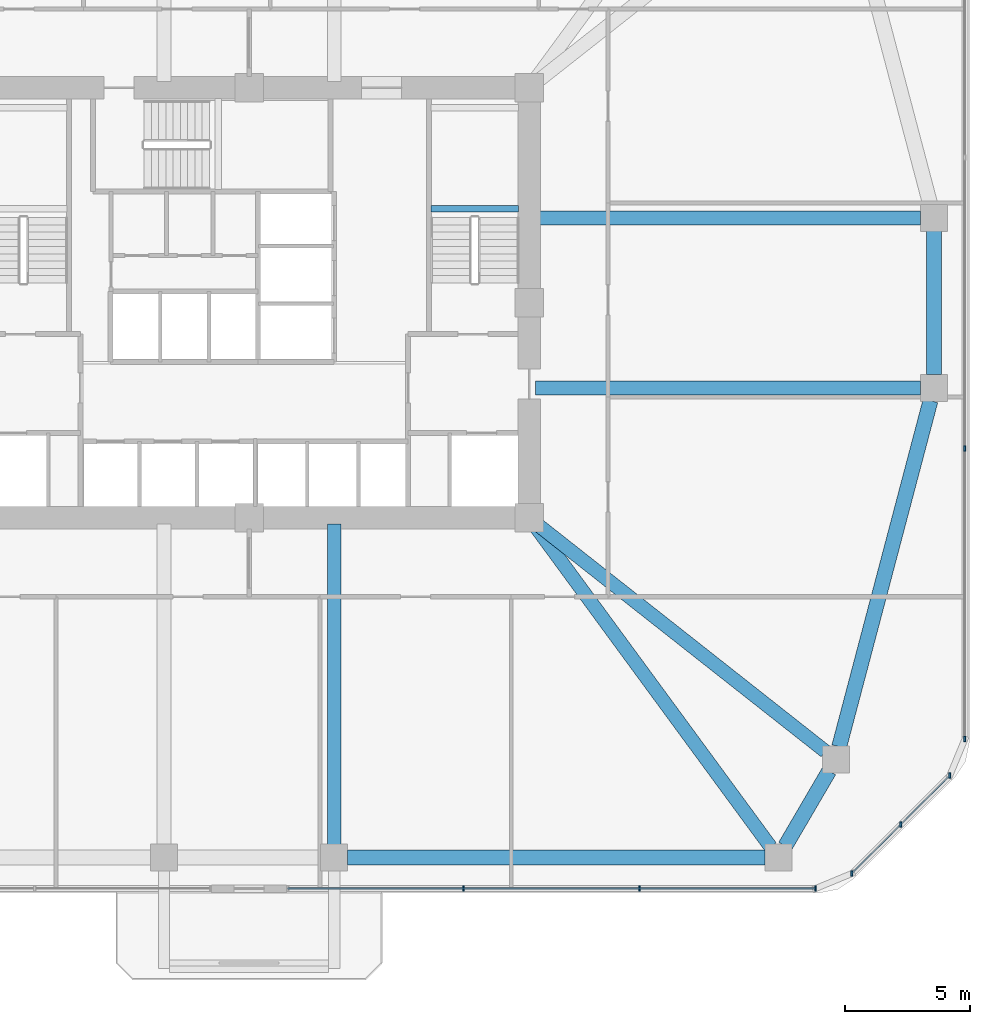
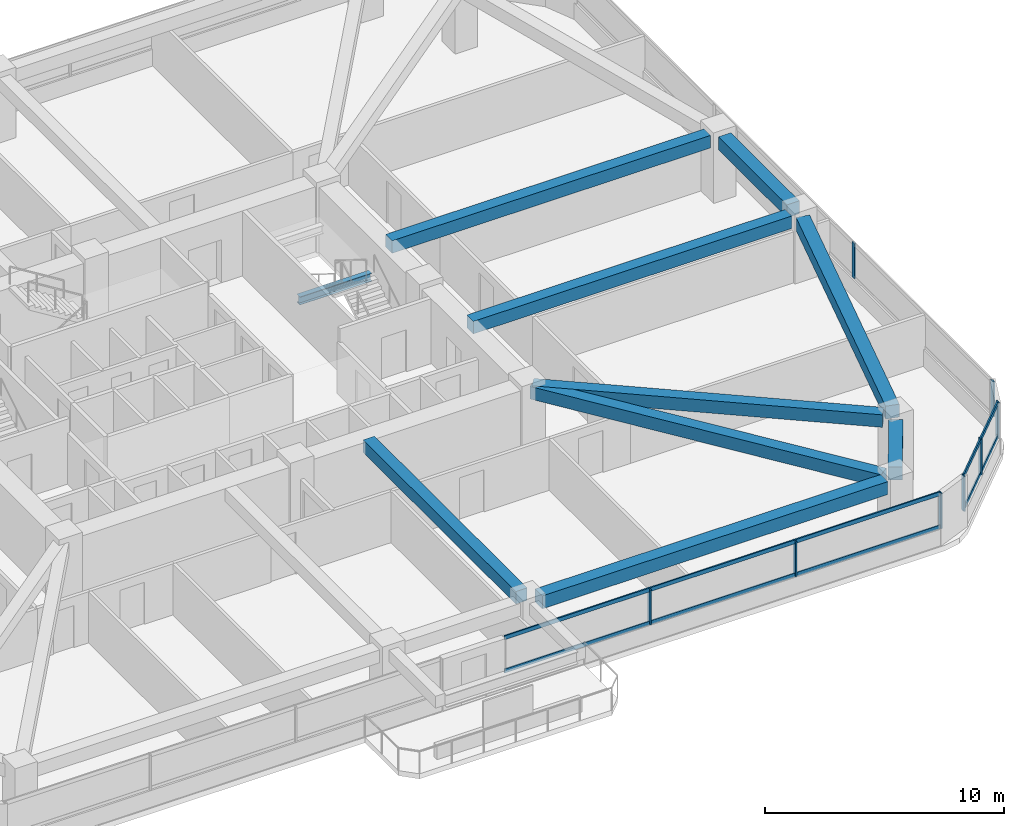
# One storey, part 3 of 13: 12 members, 10 beams, 3 elements without a shape of their own.
"""IFC4 building model written with IfcOpenShell, lengths in metres."""

from ifc_helpers import new_model, si_unit, derived_unit, direction, frame, origin, origin_2d, place, context, subcontext, project, spatial, rectangle, i_section, extrude, material, material_profile, profile_set, type_object, element, aggregate, save


model = new_model("IFC4")

# Units and contexts
model_context = context("Model", 3, precision=1e-05, world=origin(), true_north=direction((0.0, 1.0)))
body_context = subcontext(model_context, "Body", "Model", "MODEL_VIEW")
ifc_project = project(units=[si_unit("LENGTHUNIT", "METRE"), si_unit("AREAUNIT", "SQUARE_METRE"), si_unit("VOLUMEUNIT", "CUBIC_METRE"), si_unit("PLANEANGLEUNIT", "RADIAN"), si_unit("MASSUNIT", "GRAM", prefix="KILO"), derived_unit("THERMALTRANSMITTANCEUNIT", [(si_unit("POWERUNIT", "WATT"), 1), (si_unit("LENGTHUNIT", "METRE"), -2), (si_unit("THERMODYNAMICTEMPERATUREUNIT", "KELVIN"), -1)])], contexts=[model_context])

# Site, building, storey
site_placement = place(None, origin())
site = spatial("IfcSite", under=ifc_project, at=site_placement, CompositionType="ELEMENT")
building_placement = place(site_placement, origin())
building = spatial("IfcBuilding", under=site, at=building_placement, Name="Koralith Skygarden Medical Center", CompositionType="ELEMENT")
storey_placement = place(building_placement, frame((0.0, 0.0, 49.139892578125)))
storey = spatial("IfcBuildingStorey", under=building, at=storey_placement, Name="L12", CompositionType="ELEMENT", Elevation=49.139892578125)

# Curtain wall, members
ifc_material_1 = material(Name="Clear Laminated Glass", Category="glass")
curtain_wall_type = type_object("IfcCurtainWallType", Name="CW-2 Zone 1 Hurricane Unitised Curtain Wall", PredefinedType="NOTDEFINED", material=ifc_material_1)
curtain_wall_1_placement = place(storey_placement, origin())
curtain_wall_1 = element("IfcCurtainWall", 1, at=curtain_wall_1_placement, inside=storey, type_object=curtain_wall_type, Name="Curtain Wall CW-L12-S-R", PredefinedType="NOTDEFINED")
ifc_material_2 = material(Name="Aluminium 6063-T6", Category="aluminium")
ifc_material_profile_1 = material_profile(ifc_material_2, rectangle(XDim=0.071044921875, YDim=0.219970703125, at=origin_2d()), Name="MUL71X220")
ifc_profile_set_1 = profile_set([ifc_material_profile_1], Name="Aluminium 6063-T6")
member_type_1 = type_object("IfcMemberType", Name="CW-2 Extruded Mullion 71x220", PredefinedType="MULLION", material=ifc_profile_set_1)
member_1_placement = place(storey_placement, frame((45.574951171875, 2.47998046875, 0.85009765625), z_axis=(0.0, 0.0, 1.0), x_axis=(1.0, 0.0, 0.0)))
member_1 = element("IfcMember", 2, at=member_1_placement, type_object=member_type_1, Name="CW-L12-S-R Mullion 2", PredefinedType="MULLION", context=body_context, shape_type="SweptSolid", body=[
    extrude(rectangle(XDim=0.071044921875, YDim=0.219970703125, at=origin_2d()), origin(), (0.0, 0.0, 1.0), 1.800048828125),
])
member_2_placement = place(storey_placement, frame((52.610107421875, 2.47998046875, 0.85009765625), z_axis=(0.0, 0.0, 1.0), x_axis=(1.0, 0.0, 0.0)))
member_2 = element("IfcMember", 3, at=member_2_placement, type_object=member_type_1, Name="CW-L12-S-R Mullion 3", PredefinedType="MULLION", context=body_context, shape_type="SweptSolid", body=[
    extrude(rectangle(XDim=0.071044921875, YDim=0.219970703125, at=origin_2d()), origin(), (0.0, 0.0, 1.0), 1.800048828125),
])
member_3_placement = place(storey_placement, frame((59.64501953125, 2.47998046875, 0.85009765625), z_axis=(0.0, 0.0, 1.0), x_axis=(1.0, 0.0, 0.0)))
member_3 = element("IfcMember", 4, at=member_3_placement, type_object=member_type_1, Name="CW-L12-S-R Mullion 4", PredefinedType="MULLION", context=body_context, shape_type="SweptSolid", body=[
    extrude(rectangle(XDim=0.071044921875, YDim=0.219970703125, at=origin_2d()), origin(), (0.0, 0.0, 1.0), 1.800048828125),
])

curtain_wall_2_placement = place(storey_placement, origin())
curtain_wall_2 = element("IfcCurtainWall", 5, at=curtain_wall_2_placement, inside=storey, type_object=curtain_wall_type, Name="Curtain Wall CW-L12-SE", PredefinedType="NOTDEFINED")
member_4_placement = place(storey_placement, frame((61.095947265625, 3.0810546875, 0.85009765625), z_axis=(0.0, 0.0, 1.0), x_axis=(1.0, 0.0, 0.0)))
member_4 = element("IfcMember", 6, at=member_4_placement, type_object=member_type_1, Name="CW-L12-SE Mullion 1", PredefinedType="MULLION", context=body_context, shape_type="SweptSolid", body=[
    extrude(rectangle(XDim=0.071044921875, YDim=0.219970703125, at=origin_2d()), origin(), (0.0, 0.0, 1.0), 1.800048828125),
])
member_5_placement = place(storey_placement, frame((63.056884765625, 5.0419921875, 0.85009765625), z_axis=(0.0, 0.0, 1.0), x_axis=(1.0, 0.0, 0.0)))
member_5 = element("IfcMember", 7, at=member_5_placement, type_object=member_type_1, Name="CW-L12-SE Mullion 2", PredefinedType="MULLION", context=body_context, shape_type="SweptSolid", body=[
    extrude(rectangle(XDim=0.071044921875, YDim=0.219970703125, at=origin_2d()), origin(), (0.0, 0.0, 1.0), 1.800048828125),
])
member_6_placement = place(storey_placement, frame((65.01904296875, 7.00390625, 0.85009765625), z_axis=(0.0, 0.0, 1.0), x_axis=(1.0, 0.0, 0.0)))
member_6 = element("IfcMember", 8, at=member_6_placement, type_object=member_type_1, Name="CW-L12-SE Mullion 3", PredefinedType="MULLION", context=body_context, shape_type="SweptSolid", body=[
    extrude(rectangle(XDim=0.071044921875, YDim=0.219970703125, at=origin_2d()), origin(), (0.0, 0.0, 1.0), 1.800048828125),
])

curtain_wall_3_placement = place(storey_placement, origin())
curtain_wall_3 = element("IfcCurtainWall", 9, at=curtain_wall_3_placement, inside=storey, type_object=curtain_wall_type, Name="Curtain Wall CW-L12-E", PredefinedType="NOTDEFINED")
member_7_placement = place(storey_placement, frame((65.6201171875, 8.455078125, 0.85009765625), z_axis=(0.0, 0.0, 1.0), x_axis=(1.0, 0.0, 0.0)))
member_7 = element("IfcMember", 10, at=member_7_placement, type_object=member_type_1, Name="CW-L12-E Mullion 1", PredefinedType="MULLION", context=body_context, shape_type="SweptSolid", body=[
    extrude(rectangle(XDim=0.071044921875, YDim=0.219970703125, at=origin_2d()), origin(), (0.0, 0.0, 1.0), 1.800048828125),
])
member_8_placement = place(storey_placement, frame((65.6201171875, 20.0849609375, 0.85009765625), z_axis=(0.0, 0.0, 1.0), x_axis=(1.0, 0.0, 0.0)))
member_8 = element("IfcMember", 11, at=member_8_placement, type_object=member_type_1, Name="CW-L12-E Mullion 2", PredefinedType="MULLION", context=body_context, shape_type="SweptSolid", body=[
    extrude(rectangle(XDim=0.071044921875, YDim=0.219970703125, at=origin_2d()), origin(), (0.0, 0.0, 1.0), 1.800048828125),
])
aggregate(curtain_wall_3, [member_7, member_8])

# Member
ifc_material_profile_2 = material_profile(ifc_material_2, rectangle(XDim=0.06591796875, YDim=0.197998046875, at=origin_2d()), Name="TRN66X198")
ifc_profile_set_2 = profile_set([ifc_material_profile_2], Name="Aluminium 6063-T6")
member_type_2 = type_object("IfcMemberType", Name="CW-2 Thermal Transom 66x198", PredefinedType="USERDEFINED", material=ifc_profile_set_2)
member_9_placement = place(storey_placement, frame((38.5400390625, 2.47998046875, 0.900146484375), z_axis=(1.0, 0.0, 0.0), x_axis=(0.0, 1.0, 0.0)))
member_9 = element("IfcMember", 12, at=member_9_placement, type_object=member_type_2, Name="CW-L12-S-R Transom 1", ObjectType="TRANSOM", PredefinedType="USERDEFINED", context=body_context, shape_type="SweptSolid", body=[
    extrude(rectangle(XDim=0.06591796875, YDim=0.197998046875, at=origin_2d()), origin(), (0.0, 0.0, 1.0), 21.10498046875),
])

member_10_placement = place(storey_placement, frame((38.5400390625, 2.47998046875, 2.60009765625), z_axis=(1.0, 0.0, 0.0), x_axis=(0.0, 1.0, 0.0)))
member_10 = element("IfcMember", 13, at=member_10_placement, type_object=member_type_2, Name="CW-L12-S-R Transom 2", ObjectType="TRANSOM", PredefinedType="USERDEFINED", context=body_context, shape_type="SweptSolid", body=[
    extrude(rectangle(XDim=0.06591796875, YDim=0.197998046875, at=origin_2d()), origin(), (0.0, 0.0, 1.0), 21.10498046875),
])

aggregate(curtain_wall_1, [member_1, member_2, member_3, member_9, member_10])

member_11_placement = place(storey_placement, frame((61.095947265625, 3.0810546875, 0.900146484375), z_axis=(0.707128783731, 0.707084777957, 0.0), x_axis=(-0.707084777957, 0.707128783731, 0.0)))
member_11 = element("IfcMember", 14, at=member_11_placement, type_object=member_type_2, Name="CW-L12-SE Transom 1", ObjectType="TRANSOM", PredefinedType="USERDEFINED", context=body_context, shape_type="SweptSolid", body=[
    extrude(rectangle(XDim=0.06591796875, YDim=0.197998046875, at=origin_2d()), origin(), (0.0, 0.0, 1.0), 5.5478515625),
])

member_12_placement = place(storey_placement, frame((61.095947265625, 3.0810546875, 2.60009765625), z_axis=(0.707128783731, 0.707084777957, 0.0), x_axis=(-0.707084777957, 0.707128783731, 0.0)))
member_12 = element("IfcMember", 15, at=member_12_placement, type_object=member_type_2, Name="CW-L12-SE Transom 2", ObjectType="TRANSOM", PredefinedType="USERDEFINED", context=body_context, shape_type="SweptSolid", body=[
    extrude(rectangle(XDim=0.06591796875, YDim=0.197998046875, at=origin_2d()), origin(), (0.0, 0.0, 1.0), 5.5478515625),
])

aggregate(curtain_wall_2, [member_4, member_5, member_6, member_11, member_12])

# Beams
ifc_material_3 = material(Name="Steel ASTM A992 Grade 50", Category="steel")
ifc_material_profile_3 = material_profile(ifc_material_3, i_section(OverallWidth=0.260009765625, OverallDepth=0.4150390625, WebThickness=0.010009765625, FlangeThickness=0.016845703125, at=origin_2d()), Name="W16X67")
ifc_profile_set_3 = profile_set([ifc_material_profile_3], Name="Steel ASTM A992 Grade 50")
beam_type_1 = type_object("IfcBeamType", Name="Clinical Floor Joist W16X67", PredefinedType="JOIST", material=ifc_profile_set_3)
beam_1_placement = place(storey_placement, frame((44.280029296875, 29.659912109375, 1.39208984375), z_axis=(1.0, 0.0, 0.0), x_axis=(0.0, 1.0, 0.0)))
element("IfcBeam", 16, at=beam_1_placement, inside=storey, type_object=beam_type_1, Name="L12 Stair ST2 Half-Landing Support Beam 1A", PredefinedType="JOIST", context=body_context, shape_type="SweptSolid", body=[
    extrude(i_section(OverallWidth=0.260009765625, OverallDepth=0.4150390625, WebThickness=0.010009765625, FlangeThickness=0.016845703125, at=origin_2d()), origin(), (0.0, 0.0, 1.0), 3.489990234375),
])
ifc_material_4 = material(Name="Concrete C45/55", Category="concrete")
ifc_material_profile_4 = material_profile(ifc_material_4, rectangle(XDim=0.550048828125, YDim=0.639892578125, at=origin_2d()), Name="RCB550X640")
ifc_profile_set_4 = profile_set([ifc_material_profile_4], Name="Concrete C45/55")
beam_type_2 = type_object("IfcBeamType", Name="Radial Collector Beam RCB550X640", PredefinedType="BEAM", material=ifc_profile_set_4)
beam_2_placement = place(storey_placement, frame((40.39990234375, 17.050048828125, 3.0), z_axis=(0.0, -1.0, 0.0), x_axis=(1.0, 0.0, 0.0)))
element("IfcBeam", 17, at=beam_2_placement, inside=storey, type_object=beam_type_2, Name="L12 Radial Collector Beam RB-05", PredefinedType="BEAM", context=body_context, shape_type="SweptSolid", body=[
    extrude(rectangle(XDim=0.550048828125, YDim=0.639892578125, at=origin_2d()), origin(), (0.0, 0.0, 1.0), 12.800048828125),
])
beam_3_placement = place(storey_placement, frame((48.347900390625, 17.097900390625, 3.0), z_axis=(0.591718052249, -0.806144991079, 0.0), x_axis=(0.806144991079, 0.591718052249, 0.0)))
element("IfcBeam", 18, at=beam_3_placement, inside=storey, type_object=beam_type_2, Name="L12 Radial Collector Beam RB-06", PredefinedType="BEAM", context=body_context, shape_type="SweptSolid", body=[
    extrude(rectangle(XDim=0.550048828125, YDim=0.639892578125, at=origin_2d()), origin(), (0.0, 0.0, 1.0), 16.065185546875),
])
beam_4_placement = place(storey_placement, frame((48.39599609375, 17.14501953125, 3.0), z_axis=(0.785497250365, -0.618865146594, 0.0), x_axis=(0.618865146594, 0.785497250365, 0.0)))
element("IfcBeam", 19, at=beam_4_placement, inside=storey, type_object=beam_type_2, Name="L12 Radial Collector Beam RB-07", PredefinedType="BEAM", context=body_context, shape_type="SweptSolid", body=[
    extrude(rectangle(XDim=0.550048828125, YDim=0.639892578125, at=origin_2d()), origin(), (0.0, 0.0, 1.0), 14.828857421875),
])
for number, where, z_axis, x_axis, name in (
    (20, (48.449951171875, 22.5, 3.0), (1.0, 0.0, 0.0), (0.0, 1.0, 0.0), "L12 Radial Collector Beam RB-08"),
    (21, (48.449951171875, 29.300048828125, 3.0), (1.0, 0.0, 0.0), (0.0, 1.0, 0.0), "L12 Radial Collector Beam RB-09"),
):
    element("IfcBeam", number, at=place(storey_placement, frame(where, z_axis=z_axis, x_axis=x_axis)), inside=storey, type_object=beam_type_2, Name=name, PredefinedType="BEAM", context=body_context, shape_type="SweptSolid", body=[
        extrude(rectangle(XDim=0.550048828125, YDim=0.639892578125, at=origin_2d()), origin(), (0.0, 0.0, 1.0), 15.400146484375),
    ])
ifc_material_profile_5 = material_profile(ifc_material_4, rectangle(XDim=0.60009765625, YDim=0.659912109375, at=origin_2d()), Name="RCB600X660")
ifc_profile_set_5 = profile_set([ifc_material_profile_5], Name="Concrete C45/55")
beam_type_3 = type_object("IfcBeamType", Name="Zone 1 Spandrel Beam RCB600X660", PredefinedType="SPANDREL", material=ifc_profile_set_5)
beam_5_placement = place(storey_placement, frame((40.929931640625, 3.719970703125, 2.989990234375), z_axis=(1.0, 0.0, 0.0), x_axis=(0.0, 1.0, 0.0)))
element("IfcBeam", 22, at=beam_5_placement, inside=storey, type_object=beam_type_3, Name="L12 Perimeter Spandrel Beam SP-05", PredefinedType="SPANDREL", context=body_context, shape_type="SweptSolid", body=[
    extrude(rectangle(XDim=0.60009765625, YDim=0.659912109375, at=origin_2d()), origin(), (0.0, 0.0, 1.0), 16.7080078125),
])
beam_6_placement = place(storey_placement, frame((58.43603515625, 4.177978515625, 2.989990234375), z_axis=(0.504638660636, 0.863330656349, 0.0), x_axis=(-0.863330656349, 0.504638660636, 0.0)))
element("IfcBeam", 23, at=beam_6_placement, inside=storey, type_object=beam_type_3, Name="L12 Perimeter Spandrel Beam SP-06", PredefinedType="SPANDREL", context=body_context, shape_type="SweptSolid", body=[
    extrude(rectangle(XDim=0.60009765625, YDim=0.659912109375, at=origin_2d()), origin(), (0.0, 0.0, 1.0), 3.4794921875),
])
beam_7_placement = place(storey_placement, frame((60.594970703125, 8.152099609375, 2.989990234375), z_axis=(0.255088684842, 0.966917660851, 0.0), x_axis=(-0.966917660851, 0.255088684842, 0.0)))
element("IfcBeam", 24, at=beam_7_placement, inside=storey, type_object=beam_type_3, Name="L12 Perimeter Spandrel Beam SP-07", PredefinedType="SPANDREL", context=body_context, shape_type="SweptSolid", body=[
    extrude(rectangle(XDim=0.60009765625, YDim=0.659912109375, at=origin_2d()), origin(), (0.0, 0.0, 1.0), 14.309326171875),
])
beam_8_placement = place(storey_placement, frame((64.3798828125, 23.030029296875, 2.989990234375), z_axis=(0.0, 1.0, 0.0), x_axis=(-1.0, 0.0, 0.0)))
element("IfcBeam", 25, at=beam_8_placement, inside=storey, type_object=beam_type_3, Name="L12 Perimeter Spandrel Beam SP-08", PredefinedType="SPANDREL", context=body_context, shape_type="SweptSolid", body=[
    extrude(rectangle(XDim=0.60009765625, YDim=0.659912109375, at=origin_2d()), origin(), (0.0, 0.0, 1.0), 5.739990234375),
])

save(model, "model.ifc")
